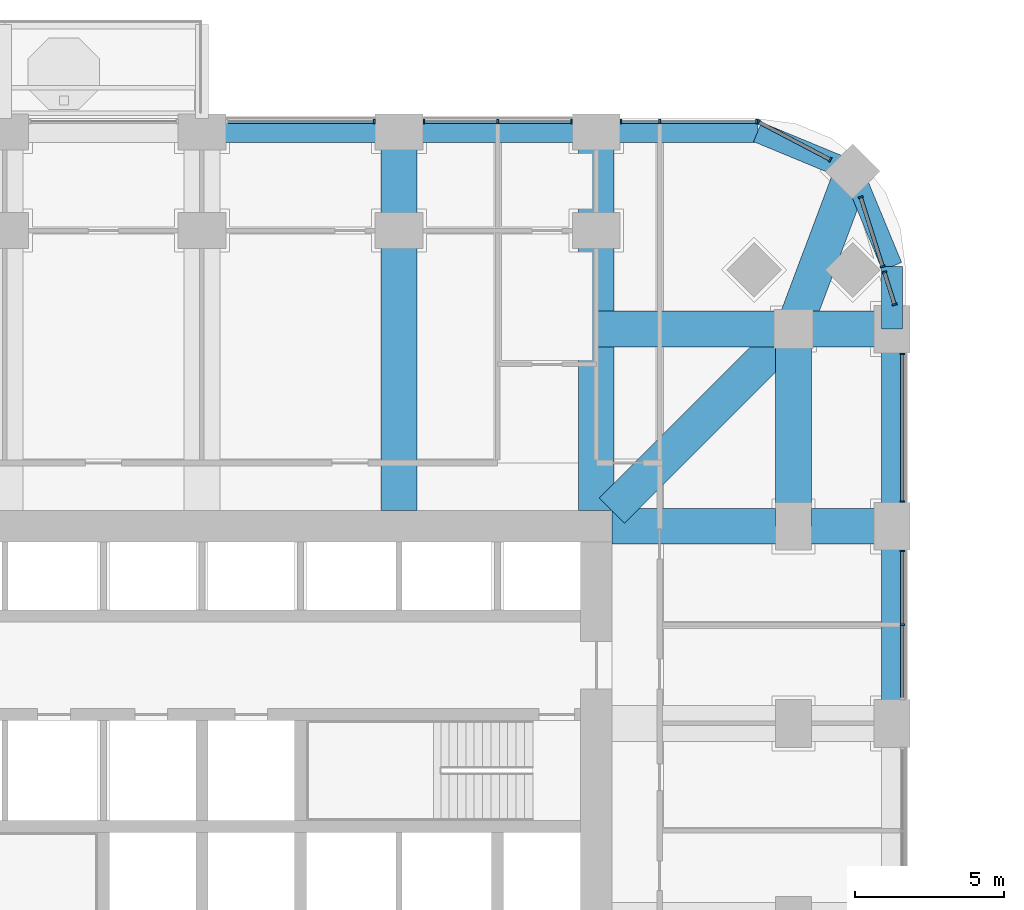
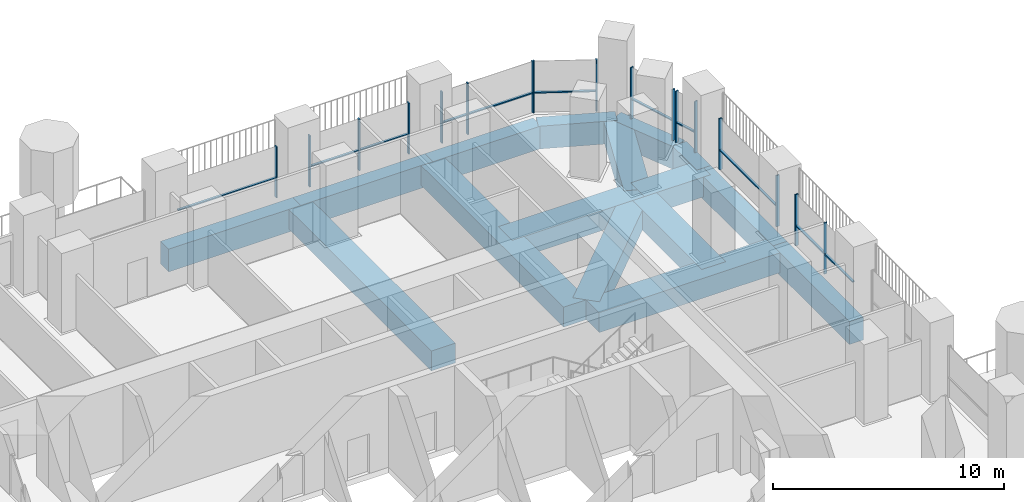
# One storey, part 7 of 21: 28 members, 16 beams, 8 elements without a shape of their own.
"""IFC4 building model written with IfcOpenShell, lengths in metres."""

from ifc_helpers import new_model, si_unit, direction, frame, origin, origin_2d, place, context, subcontext, project, spatial, rectangle, extrude, material, material_profile, profile_set, type_object, element, aggregate, save


model = new_model("IFC4")

# Units and contexts
model_context = context("Model", 3, precision=1e-05, world=origin(), true_north=direction((0.0, 1.0)))
body_context = subcontext(model_context, "Body", "Model", "MODEL_VIEW")
ifc_project = project(units=[si_unit("LENGTHUNIT", "METRE"), si_unit("AREAUNIT", "SQUARE_METRE"), si_unit("VOLUMEUNIT", "CUBIC_METRE"), si_unit("PLANEANGLEUNIT", "RADIAN"), si_unit("MASSUNIT", "GRAM", prefix="KILO")], contexts=[model_context])

# Site, building, storey
site_placement = place(None, origin())
site = spatial("IfcSite", under=ifc_project, at=site_placement, CompositionType="ELEMENT")
building_placement = place(site_placement, origin())
building = spatial("IfcBuilding", under=site, at=building_placement, Name="Cobogo Forest Laboratory Tower", CompositionType="ELEMENT")
storey_placement = place(building_placement, frame((0.0, 0.0, 107.39990234375)))
storey = spatial("IfcBuildingStorey", under=building, at=storey_placement, Name="L24", CompositionType="ELEMENT", Elevation=107.39990234375)

# Beams
ifc_material_1 = material(Name="Concrete HA-40 (C40/50)", Category="concrete")
ifc_material_profile_1 = material_profile(ifc_material_1, rectangle(XDim=1.199951171875, YDim=1.050048828125, at=origin_2d()), Name="RC 1200x1050")
ifc_profile_set_1 = profile_set([ifc_material_profile_1], Name="Concrete HA-40 (C40/50)")
beam_type_1 = type_object("IfcBeamType", Name="Laboratory floor wide beam 1200x1050", PredefinedType="BEAM", material=ifc_profile_set_1)
for number, where, z_axis, x_axis, name in (
    (1, (33.0, 33.52490234375, -0.824951171875), (0.0, 1.0, 0.0), (-1.0, 0.0, 0.0), "RB1 R-6-N L24"),
    (2, (39.60009765625, 33.52490234375, -0.824951171875), (0.0, 1.0, 0.0), (-1.0, 0.0, 0.0), "RB1 R-7-N L24"),
):
    element("IfcBeam", number, at=place(storey_placement, frame(where, z_axis=z_axis, x_axis=x_axis)), inside=storey, type_object=beam_type_1, Name=name, PredefinedType="BEAM", context=body_context, shape_type="SweptSolid", body=[
        extrude(rectangle(XDim=1.199951171875, YDim=1.050048828125, at=origin_2d()), origin(), (0.0, 0.0, 1.0), 12.675048828125),
    ])
beam_1_placement = place(storey_placement, frame((40.125, 33.0, -0.824951171875), z_axis=(1.0, 0.0, 0.0), x_axis=(0.0, 1.0, 0.0)))
element("IfcBeam", 3, at=beam_1_placement, inside=storey, type_object=beam_type_1, Name="RB1 R-F-E L24", PredefinedType="BEAM", context=body_context, shape_type="SweptSolid", body=[
    extrude(rectangle(XDim=1.199951171875, YDim=1.050048828125, at=origin_2d()), origin(), (0.0, 0.0, 1.0), 9.375),
])
beam_2_placement = place(storey_placement, frame((46.199951171875, 39.60009765625, -0.824951171875), z_axis=(0.0, -1.0, 0.0), x_axis=(1.0, 0.0, 0.0)))
element("IfcBeam", 4, at=beam_2_placement, inside=storey, type_object=beam_type_1, Name="RB1 G-NE-XC L24", PredefinedType="BEAM", context=body_context, shape_type="SweptSolid", body=[
    extrude(rectangle(XDim=1.199951171875, YDim=1.050048828125, at=origin_2d()), origin(), (0.0, 0.0, 1.0), 6.60009765625),
])
beam_3_placement = place(storey_placement, frame((49.5, 39.60009765625, -0.824951171875), z_axis=(-1.0, 0.0, 0.0), x_axis=(0.0, -1.0, 0.0)))
element("IfcBeam", 5, at=beam_3_placement, inside=storey, type_object=beam_type_1, Name="RB1 G-NE-YF L24", PredefinedType="BEAM", context=body_context, shape_type="SweptSolid", body=[
    extrude(rectangle(XDim=1.199951171875, YDim=1.050048828125, at=origin_2d()), origin(), (0.0, 0.0, 1.0), 3.300048828125),
])
beam_4_placement = place(storey_placement, frame((46.199951171875, 39.60009765625, -0.824951171875), z_axis=(-1.0, 0.0, 0.0), x_axis=(0.0, -1.0, 0.0)))
element("IfcBeam", 6, at=beam_4_placement, inside=storey, type_object=beam_type_1, Name="RB1 G-NE-YC L24", PredefinedType="BEAM", context=body_context, shape_type="SweptSolid", body=[
    extrude(rectangle(XDim=1.199951171875, YDim=1.050048828125, at=origin_2d()), origin(), (0.0, 0.0, 1.0), 6.599853515625),
])
beam_5_placement = place(storey_placement, frame((48.181884765625, 44.882080078125, -0.824951171875), z_axis=(-0.351308391925, -0.936259800356, 0.0), x_axis=(0.936259800356, -0.351308391925, 0.0)))
element("IfcBeam", 7, at=beam_5_placement, inside=storey, type_object=beam_type_1, Name="RB1 G-NE-D1 L24", PredefinedType="BEAM", context=body_context, shape_type="SweptSolid", body=[
    extrude(rectangle(XDim=1.199951171875, YDim=1.050048828125, at=origin_2d()), origin(), (0.0, 0.0, 1.0), 5.6416015625),
])
beam_6_placement = place(storey_placement, frame((46.199951171875, 39.60009765625, -0.824951171875), z_axis=(-0.707092572697, -0.70712098939, 0.0), x_axis=(0.70712098939, -0.707092572697, 0.0)))
element("IfcBeam", 8, at=beam_6_placement, inside=storey, type_object=beam_type_1, Name="RB1 G-NE-D2 L24", PredefinedType="BEAM", context=body_context, shape_type="SweptSolid", body=[
    extrude(rectangle(XDim=1.199951171875, YDim=1.050048828125, at=origin_2d()), origin(), (0.0, 0.0, 1.0), 8.591552734375),
])

# Curtain wall, members
ifc_material_2 = material(Name="Aluminium curtain wall", Category="aluminium")
curtain_wall_type = type_object("IfcCurtainWallType", Name="CW-1 unitised curtain wall, clear glazing, laboratory floors zones A and B", PredefinedType="USERDEFINED", material=ifc_material_2)
curtain_wall_1_placement = place(storey_placement, origin())
curtain_wall_1 = element("IfcCurtainWall", 9, at=curtain_wall_1_placement, inside=storey, type_object=curtain_wall_type, Name="Curtain wall 13 L24", ObjectType="UNITISED CURTAIN WALL", PredefinedType="USERDEFINED")
ifc_material_3 = material(Name="Aluminium mullion", Category="aluminium")
ifc_material_profile_2 = material_profile(ifc_material_3, rectangle(XDim=0.06005859375, YDim=0.159912109375, at=origin_2d()), Name="AL 60x160")
ifc_profile_set_2 = profile_set([ifc_material_profile_2], Name="Aluminium mullion")
member_type_1 = type_object("IfcMemberType", Name="MU-1 aluminium mullion 60x160", PredefinedType="MULLION", material=ifc_profile_set_2)
member_1_placement = place(storey_placement, frame((49.85009765625, 29.699951171875, 0.0), z_axis=(0.0, 0.0, 1.0), x_axis=(0.0, 1.0, 0.0)))
member_1 = element("IfcMember", 10, at=member_1_placement, type_object=member_type_1, Name="CW-1 mullion 2", PredefinedType="MULLION", context=body_context, shape_type="SweptSolid", body=[
    extrude(rectangle(XDim=0.06005859375, YDim=0.159912109375, at=origin_2d()), origin(), (0.0, 0.0, 1.0), 2.7001953125),
])
member_2_placement = place(storey_placement, frame((49.85009765625, 32.169921875, 0.0), z_axis=(0.0, 0.0, 1.0), x_axis=(0.0, 1.0, 0.0)))
member_2 = element("IfcMember", 11, at=member_2_placement, type_object=member_type_1, Name="CW-1 mullion 3", PredefinedType="MULLION", context=body_context, shape_type="SweptSolid", body=[
    extrude(rectangle(XDim=0.06005859375, YDim=0.159912109375, at=origin_2d()), origin(), (0.0, 0.0, 1.0), 2.7001953125),
])

curtain_wall_2_placement = place(storey_placement, origin())
curtain_wall_2 = element("IfcCurtainWall", 12, at=curtain_wall_2_placement, inside=storey, type_object=curtain_wall_type, Name="Curtain wall 14 L24", ObjectType="UNITISED CURTAIN WALL", PredefinedType="USERDEFINED")
member_3_placement = place(storey_placement, frame((49.85009765625, 33.830078125, 0.0), z_axis=(0.0, 0.0, 1.0), x_axis=(0.0, 1.0, 0.0)))
member_3 = element("IfcMember", 13, at=member_3_placement, type_object=member_type_1, Name="CW-1 mullion 1", PredefinedType="MULLION", context=body_context, shape_type="SweptSolid", body=[
    extrude(rectangle(XDim=0.06005859375, YDim=0.159912109375, at=origin_2d()), origin(), (0.0, 0.0, 1.0), 2.7001953125),
])
member_4_placement = place(storey_placement, frame((49.85009765625, 38.77001953125, 0.0), z_axis=(0.0, 0.0, 1.0), x_axis=(0.0, 1.0, 0.0)))
member_4 = element("IfcMember", 14, at=member_4_placement, type_object=member_type_1, Name="CW-1 mullion 2", PredefinedType="MULLION", context=body_context, shape_type="SweptSolid", body=[
    extrude(rectangle(XDim=0.06005859375, YDim=0.159912109375, at=origin_2d()), origin(), (0.0, 0.0, 1.0), 2.7001953125),
])

curtain_wall_3_placement = place(storey_placement, origin())
curtain_wall_3 = element("IfcCurtainWall", 15, at=curtain_wall_3_placement, inside=storey, type_object=curtain_wall_type, Name="Curtain wall 15 L24", ObjectType="UNITISED CURTAIN WALL", PredefinedType="USERDEFINED")
member_5_placement = place(storey_placement, frame((49.58837890625, 40.4287109375, 0.0), z_axis=(0.0, 0.0, 1.0), x_axis=(-0.301135667865, 0.953581307252, 0.0)))
member_5 = element("IfcMember", 16, at=member_5_placement, type_object=member_type_1, Name="CW-1 mullion 1", PredefinedType="MULLION", context=body_context, shape_type="SweptSolid", body=[
    extrude(rectangle(XDim=0.06005859375, YDim=0.159912109375, at=origin_2d()), origin(), (0.0, 0.0, 1.0), 2.7001953125),
])
member_6_placement = place(storey_placement, frame((49.247802734375, 41.507080078125, 0.0), z_axis=(0.0, 0.0, 1.0), x_axis=(-0.301135667865, 0.953581307252, 0.0)))
member_6 = element("IfcMember", 17, at=member_6_placement, type_object=member_type_1, Name="CW-1 mullion 2", PredefinedType="MULLION", context=body_context, shape_type="SweptSolid", body=[
    extrude(rectangle(XDim=0.06005859375, YDim=0.159912109375, at=origin_2d()), origin(), (0.0, 0.0, 1.0), 2.7001953125),
])

curtain_wall_4_placement = place(storey_placement, origin())
curtain_wall_4 = element("IfcCurtainWall", 18, at=curtain_wall_4_placement, inside=storey, type_object=curtain_wall_type, Name="Curtain wall 16 L24", ObjectType="UNITISED CURTAIN WALL", PredefinedType="USERDEFINED")
member_7_placement = place(storey_placement, frame((49.18701171875, 41.69970703125, 0.0), z_axis=(0.0, 0.0, 1.0), x_axis=(-0.301135291996, 0.953581425949, 0.0)))
member_7 = element("IfcMember", 19, at=member_7_placement, type_object=member_type_1, Name="CW-1 mullion 1", PredefinedType="MULLION", context=body_context, shape_type="SweptSolid", body=[
    extrude(rectangle(XDim=0.06005859375, YDim=0.159912109375, at=origin_2d()), origin(), (0.0, 0.0, 1.0), 2.7001953125),
])
member_8_placement = place(storey_placement, frame((48.455810546875, 44.01513671875, 0.0), z_axis=(0.0, 0.0, 1.0), x_axis=(-0.301135291996, 0.953581425949, 0.0)))
member_8 = element("IfcMember", 20, at=member_8_placement, type_object=member_type_1, Name="CW-1 mullion 2", PredefinedType="MULLION", context=body_context, shape_type="SweptSolid", body=[
    extrude(rectangle(XDim=0.06005859375, YDim=0.159912109375, at=origin_2d()), origin(), (0.0, 0.0, 1.0), 2.7001953125),
])

curtain_wall_5_placement = place(storey_placement, origin())
curtain_wall_5 = element("IfcCurtainWall", 21, at=curtain_wall_5_placement, inside=storey, type_object=curtain_wall_type, Name="Curtain wall 17 L24", ObjectType="UNITISED CURTAIN WALL", PredefinedType="USERDEFINED")
member_9_placement = place(storey_placement, frame((47.431640625, 45.275390625, 0.0), z_axis=(0.0, 0.0, 1.0), x_axis=(-0.885686547075, 0.464283685186, 0.0)))
member_9 = element("IfcMember", 22, at=member_9_placement, type_object=member_type_1, Name="CW-1 mullion 1", PredefinedType="MULLION", context=body_context, shape_type="SweptSolid", body=[
    extrude(rectangle(XDim=0.06005859375, YDim=0.159912109375, at=origin_2d()), origin(), (0.0, 0.0, 1.0), 2.7001953125),
])
member_10_placement = place(storey_placement, frame((45.026611328125, 46.5361328125, 0.0), z_axis=(0.0, 0.0, 1.0), x_axis=(-0.885686547075, 0.464283685186, 0.0)))
member_10 = element("IfcMember", 23, at=member_10_placement, type_object=member_type_1, Name="CW-1 mullion 2", PredefinedType="MULLION", context=body_context, shape_type="SweptSolid", body=[
    extrude(rectangle(XDim=0.06005859375, YDim=0.159912109375, at=origin_2d()), origin(), (0.0, 0.0, 1.0), 2.7001953125),
])

curtain_wall_6_placement = place(storey_placement, origin())
curtain_wall_6 = element("IfcCurtainWall", 24, at=curtain_wall_6_placement, inside=storey, type_object=curtain_wall_type, Name="Curtain wall 18 L24", ObjectType="UNITISED CURTAIN WALL", PredefinedType="USERDEFINED")
member_11_placement = place(storey_placement, frame((44.969970703125, 46.550048828125, 0.0), z_axis=(0.0, 0.0, 1.0), x_axis=(-1.0, 0.0, 0.0)))
member_11 = element("IfcMember", 25, at=member_11_placement, type_object=member_type_1, Name="CW-1 mullion 1", PredefinedType="MULLION", context=body_context, shape_type="SweptSolid", body=[
    extrude(rectangle(XDim=0.06005859375, YDim=0.159912109375, at=origin_2d()), origin(), (0.0, 0.0, 1.0), 2.7001953125),
])
member_12_placement = place(storey_placement, frame((41.72509765625, 46.550048828125, 0.0), z_axis=(0.0, 0.0, 1.0), x_axis=(-1.0, 0.0, 0.0)))
member_12 = element("IfcMember", 26, at=member_12_placement, type_object=member_type_1, Name="CW-1 mullion 2", PredefinedType="MULLION", context=body_context, shape_type="SweptSolid", body=[
    extrude(rectangle(XDim=0.06005859375, YDim=0.159912109375, at=origin_2d()), origin(), (0.0, 0.0, 1.0), 2.7001953125),
])
member_13_placement = place(storey_placement, frame((40.429931640625, 46.550048828125, 0.0), z_axis=(0.0, 0.0, 1.0), x_axis=(-1.0, 0.0, 0.0)))
member_13 = element("IfcMember", 27, at=member_13_placement, type_object=member_type_1, Name="CW-1 mullion 3", PredefinedType="MULLION", context=body_context, shape_type="SweptSolid", body=[
    extrude(rectangle(XDim=0.06005859375, YDim=0.159912109375, at=origin_2d()), origin(), (0.0, 0.0, 1.0), 2.7001953125),
])

curtain_wall_7_placement = place(storey_placement, origin())
curtain_wall_7 = element("IfcCurtainWall", 28, at=curtain_wall_7_placement, inside=storey, type_object=curtain_wall_type, Name="Curtain wall 19 L24", ObjectType="UNITISED CURTAIN WALL", PredefinedType="USERDEFINED")
member_14_placement = place(storey_placement, frame((38.77001953125, 46.550048828125, 0.0), z_axis=(0.0, 0.0, 1.0), x_axis=(-1.0, 0.0, 0.0)))
member_14 = element("IfcMember", 29, at=member_14_placement, type_object=member_type_1, Name="CW-1 mullion 1", PredefinedType="MULLION", context=body_context, shape_type="SweptSolid", body=[
    extrude(rectangle(XDim=0.06005859375, YDim=0.159912109375, at=origin_2d()), origin(), (0.0, 0.0, 1.0), 2.7001953125),
])
member_15_placement = place(storey_placement, frame((36.300048828125, 46.550048828125, 0.0), z_axis=(0.0, 0.0, 1.0), x_axis=(-1.0, 0.0, 0.0)))
member_15 = element("IfcMember", 30, at=member_15_placement, type_object=member_type_1, Name="CW-1 mullion 2", PredefinedType="MULLION", context=body_context, shape_type="SweptSolid", body=[
    extrude(rectangle(XDim=0.06005859375, YDim=0.159912109375, at=origin_2d()), origin(), (0.0, 0.0, 1.0), 2.7001953125),
])
member_16_placement = place(storey_placement, frame((33.830078125, 46.550048828125, 0.0), z_axis=(0.0, 0.0, 1.0), x_axis=(-1.0, 0.0, 0.0)))
member_16 = element("IfcMember", 31, at=member_16_placement, type_object=member_type_1, Name="CW-1 mullion 3", PredefinedType="MULLION", context=body_context, shape_type="SweptSolid", body=[
    extrude(rectangle(XDim=0.06005859375, YDim=0.159912109375, at=origin_2d()), origin(), (0.0, 0.0, 1.0), 2.7001953125),
])

# Curtain wall, member
curtain_wall_8_placement = place(storey_placement, origin())
curtain_wall_8 = element("IfcCurtainWall", 32, at=curtain_wall_8_placement, inside=storey, type_object=curtain_wall_type, Name="Curtain wall 20 L24", ObjectType="UNITISED CURTAIN WALL", PredefinedType="USERDEFINED")
member_17_placement = place(storey_placement, frame((32.169921875, 46.550048828125, 0.0), z_axis=(0.0, 0.0, 1.0), x_axis=(-1.0, 0.0, 0.0)))
member_17 = element("IfcMember", 33, at=member_17_placement, type_object=member_type_1, Name="CW-1 mullion 1", PredefinedType="MULLION", context=body_context, shape_type="SweptSolid", body=[
    extrude(rectangle(XDim=0.06005859375, YDim=0.159912109375, at=origin_2d()), origin(), (0.0, 0.0, 1.0), 2.7001953125),
])

# Beams
ifc_material_profile_3 = material_profile(ifc_material_1, rectangle(XDim=0.699951171875, YDim=1.199951171875, at=origin_2d()), Name="RC 700x1200")
ifc_profile_set_3 = profile_set([ifc_material_profile_3], Name="Concrete HA-40 (C40/50)")
beam_type_2 = type_object("IfcBeamType", Name="Perimeter edge beam 700x1200", PredefinedType="BEAM", material=ifc_profile_set_3)
for number, where, z_axis, x_axis, name in (
    (34, (49.5, 26.39990234375, -0.89990234375), (0.0, 1.0, 0.0), (-1.0, 0.0, 0.0), "EB1 E-E4 L24"),
    (35, (49.5, 33.0, -0.89990234375), (0.0, 1.0, 0.0), (-1.0, 0.0, 0.0), "EB1 E-E5 L24"),
    (36, (26.39990234375, 46.199951171875, -0.89990234375), (1.0, 0.0, 0.0), (0.0, 1.0, 0.0), "EB1 E-N3 L24"),
    (37, (33.0, 46.199951171875, -0.89990234375), (1.0, 0.0, 0.0), (0.0, 1.0, 0.0), "EB1 E-N4 L24"),
):
    element("IfcBeam", number, at=place(storey_placement, frame(where, z_axis=z_axis, x_axis=x_axis)), inside=storey, type_object=beam_type_2, Name=name, PredefinedType="BEAM", context=body_context, shape_type="SweptSolid", body=[
        extrude(rectangle(XDim=0.699951171875, YDim=1.199951171875, at=origin_2d()), origin(), (0.0, 0.0, 1.0), 6.60009765625),
    ])
beam_7_placement = place(storey_placement, frame((49.5, 39.60009765625, -0.89990234375), z_axis=(0.0, 1.0, 0.0), x_axis=(-1.0, 0.0, 0.0)))
element("IfcBeam", 38, at=beam_7_placement, inside=storey, type_object=beam_type_2, Name="EB1 E-NEE1 L24", PredefinedType="BEAM", context=body_context, shape_type="SweptSolid", body=[
    extrude(rectangle(XDim=0.699951171875, YDim=1.199951171875, at=origin_2d()), origin(), (0.0, 0.0, 1.0), 2.099853515625),
])
beam_8_placement = place(storey_placement, frame((49.5, 41.699951171875, -0.89990234375), z_axis=(-0.382691928466, 0.923876013265, 0.0), x_axis=(-0.923876013265, -0.382691928466, 0.0)))
element("IfcBeam", 39, at=beam_8_placement, inside=storey, type_object=beam_type_2, Name="EB1 E-NEE2 L24", PredefinedType="BEAM", context=body_context, shape_type="SweptSolid", body=[
    extrude(rectangle(XDim=0.699951171875, YDim=1.199951171875, at=origin_2d()), origin(), (0.0, 0.0, 1.0), 3.4443359375),
])
beam_9_placement = place(storey_placement, frame((39.60009765625, 46.199951171875, -0.89990234375), z_axis=(1.0, 0.0, 0.0), x_axis=(0.0, 1.0, 0.0)))
element("IfcBeam", 40, at=beam_9_placement, inside=storey, type_object=beam_type_2, Name="EB1 E-NEN1 L24", PredefinedType="BEAM", context=body_context, shape_type="SweptSolid", body=[
    extrude(rectangle(XDim=0.699951171875, YDim=1.199951171875, at=origin_2d()), origin(), (0.0, 0.0, 1.0), 5.39990234375),
])
beam_10_placement = place(storey_placement, frame((45.0, 46.199951171875, -0.89990234375), z_axis=(0.923890694089, -0.382656484822, 0.0), x_axis=(0.382656484822, 0.923890694089, 0.0)))
element("IfcBeam", 41, at=beam_10_placement, inside=storey, type_object=beam_type_2, Name="EB1 E-NEN2 L24", PredefinedType="BEAM", context=body_context, shape_type="SweptSolid", body=[
    extrude(rectangle(XDim=0.699951171875, YDim=1.199951171875, at=origin_2d()), origin(), (0.0, 0.0, 1.0), 3.444091796875),
])

# Member
ifc_material_4 = material(Name="Aluminium transom", Category="aluminium")
ifc_material_profile_4 = material_profile(ifc_material_4, rectangle(XDim=0.1201171875, YDim=0.06005859375, at=origin_2d()), Name="AL 60x120")
ifc_profile_set_4 = profile_set([ifc_material_profile_4], Name="Aluminium transom")
member_type_2 = type_object("IfcMemberType", Name="TR-1 aluminium transom 60x120", PredefinedType="USERDEFINED", material=ifc_profile_set_4)
member_18_placement = place(storey_placement, frame((49.85009765625, 27.260009765625, 1.050048828125), z_axis=(0.0, 1.0, 0.0), x_axis=(-1.0, 0.0, 0.0)))
member_18 = element("IfcMember", 42, at=member_18_placement, type_object=member_type_2, Name="CW-1 transom 1.1", ObjectType="TRANSOM", PredefinedType="USERDEFINED", context=body_context, shape_type="SweptSolid", body=[
    extrude(rectangle(XDim=0.1201171875, YDim=0.06005859375, at=origin_2d()), origin(), (0.0, 0.0, 1.0), 2.409912109375),
])

member_19_placement = place(storey_placement, frame((49.85009765625, 29.72998046875, 1.050048828125), z_axis=(0.0, 1.0, 0.0), x_axis=(-1.0, 0.0, 0.0)))
member_19 = element("IfcMember", 43, at=member_19_placement, type_object=member_type_2, Name="CW-1 transom 2.1", ObjectType="TRANSOM", PredefinedType="USERDEFINED", context=body_context, shape_type="SweptSolid", body=[
    extrude(rectangle(XDim=0.1201171875, YDim=0.06005859375, at=origin_2d()), origin(), (0.0, 0.0, 1.0), 2.409912109375),
])

aggregate(curtain_wall_1, [member_1, member_2, member_18, member_19])

member_20_placement = place(storey_placement, frame((49.85009765625, 33.860107421875, 1.050048828125), z_axis=(0.0, 1.0, 0.0), x_axis=(-1.0, 0.0, 0.0)))
member_20 = element("IfcMember", 44, at=member_20_placement, type_object=member_type_2, Name="CW-1 transom 1.1", ObjectType="TRANSOM", PredefinedType="USERDEFINED", context=body_context, shape_type="SweptSolid", body=[
    extrude(rectangle(XDim=0.1201171875, YDim=0.06005859375, at=origin_2d()), origin(), (0.0, 0.0, 1.0), 4.8798828125),
])

aggregate(curtain_wall_2, [member_3, member_4, member_20])

member_21_placement = place(storey_placement, frame((49.579345703125, 40.457275390625, 1.050048828125), z_axis=(-0.3011422781, 0.953579219751, 0.0), x_axis=(-0.953579219751, -0.3011422781, 0.0)))
member_21 = element("IfcMember", 45, at=member_21_placement, type_object=member_type_2, Name="CW-1 transom 1.1", ObjectType="TRANSOM", PredefinedType="USERDEFINED", context=body_context, shape_type="SweptSolid", body=[
    extrude(rectangle(XDim=0.1201171875, YDim=0.06005859375, at=origin_2d()), origin(), (0.0, 0.0, 1.0), 1.071044921875),
])

aggregate(curtain_wall_3, [member_5, member_6, member_21])

member_22_placement = place(storey_placement, frame((49.177978515625, 41.728271484375, 1.050048828125), z_axis=(-0.301156039198, 0.953574873859, 0.0), x_axis=(-0.953574873859, -0.301156039198, 0.0)))
member_22 = element("IfcMember", 46, at=member_22_placement, type_object=member_type_2, Name="CW-1 transom 1.1", ObjectType="TRANSOM", PredefinedType="USERDEFINED", context=body_context, shape_type="SweptSolid", body=[
    extrude(rectangle(XDim=0.1201171875, YDim=0.06005859375, at=origin_2d()), origin(), (0.0, 0.0, 1.0), 2.367919921875),
])

aggregate(curtain_wall_4, [member_7, member_8, member_22])

member_23_placement = place(storey_placement, frame((47.405029296875, 45.289306640625, 1.050048828125), z_axis=(-0.885674922116, 0.464305860758, 0.0), x_axis=(-0.464305860758, -0.885674922116, 0.0)))
member_23 = element("IfcMember", 47, at=member_23_placement, type_object=member_type_2, Name="CW-1 transom 1.1", ObjectType="TRANSOM", PredefinedType="USERDEFINED", context=body_context, shape_type="SweptSolid", body=[
    extrude(rectangle(XDim=0.1201171875, YDim=0.06005859375, at=origin_2d()), origin(), (0.0, 0.0, 1.0), 2.6552734375),
])

aggregate(curtain_wall_5, [member_9, member_10, member_23])

member_24_placement = place(storey_placement, frame((44.93994140625, 46.550048828125, 1.050048828125), z_axis=(-1.0, 0.0, 0.0), x_axis=(0.0, -1.0, 0.0)))
member_24 = element("IfcMember", 48, at=member_24_placement, type_object=member_type_2, Name="CW-1 transom 1.1", ObjectType="TRANSOM", PredefinedType="USERDEFINED", context=body_context, shape_type="SweptSolid", body=[
    extrude(rectangle(XDim=0.1201171875, YDim=0.06005859375, at=origin_2d()), origin(), (0.0, 0.0, 1.0), 3.18505859375),
])

member_25_placement = place(storey_placement, frame((41.695068359375, 46.550048828125, 1.050048828125), z_axis=(-1.0, 0.0, 0.0), x_axis=(0.0, -1.0, 0.0)))
member_25 = element("IfcMember", 49, at=member_25_placement, type_object=member_type_2, Name="CW-1 transom 2.1", ObjectType="TRANSOM", PredefinedType="USERDEFINED", context=body_context, shape_type="SweptSolid", body=[
    extrude(rectangle(XDim=0.1201171875, YDim=0.06005859375, at=origin_2d()), origin(), (0.0, 0.0, 1.0), 1.235107421875),
])

aggregate(curtain_wall_6, [member_11, member_12, member_13, member_24, member_25])

member_26_placement = place(storey_placement, frame((38.739990234375, 46.550048828125, 1.050048828125), z_axis=(-1.0, 0.0, 0.0), x_axis=(0.0, -1.0, 0.0)))
member_26 = element("IfcMember", 50, at=member_26_placement, type_object=member_type_2, Name="CW-1 transom 1.1", ObjectType="TRANSOM", PredefinedType="USERDEFINED", context=body_context, shape_type="SweptSolid", body=[
    extrude(rectangle(XDim=0.1201171875, YDim=0.06005859375, at=origin_2d()), origin(), (0.0, 0.0, 1.0), 2.409912109375),
])

member_27_placement = place(storey_placement, frame((36.27001953125, 46.550048828125, 1.050048828125), z_axis=(-1.0, 0.0, 0.0), x_axis=(0.0, -1.0, 0.0)))
member_27 = element("IfcMember", 51, at=member_27_placement, type_object=member_type_2, Name="CW-1 transom 2.1", ObjectType="TRANSOM", PredefinedType="USERDEFINED", context=body_context, shape_type="SweptSolid", body=[
    extrude(rectangle(XDim=0.1201171875, YDim=0.06005859375, at=origin_2d()), origin(), (0.0, 0.0, 1.0), 2.409912109375),
])

aggregate(curtain_wall_7, [member_14, member_15, member_16, member_26, member_27])

member_28_placement = place(storey_placement, frame((32.139892578125, 46.550048828125, 1.050048828125), z_axis=(-1.0, 0.0, 0.0), x_axis=(0.0, -1.0, 0.0)))
member_28 = element("IfcMember", 52, at=member_28_placement, type_object=member_type_2, Name="CW-1 transom 1.1", ObjectType="TRANSOM", PredefinedType="USERDEFINED", context=body_context, shape_type="SweptSolid", body=[
    extrude(rectangle(XDim=0.1201171875, YDim=0.06005859375, at=origin_2d()), origin(), (0.0, 0.0, 1.0), 4.8798828125),
])

aggregate(curtain_wall_8, [member_17, member_28])

save(model, "model.ifc")
